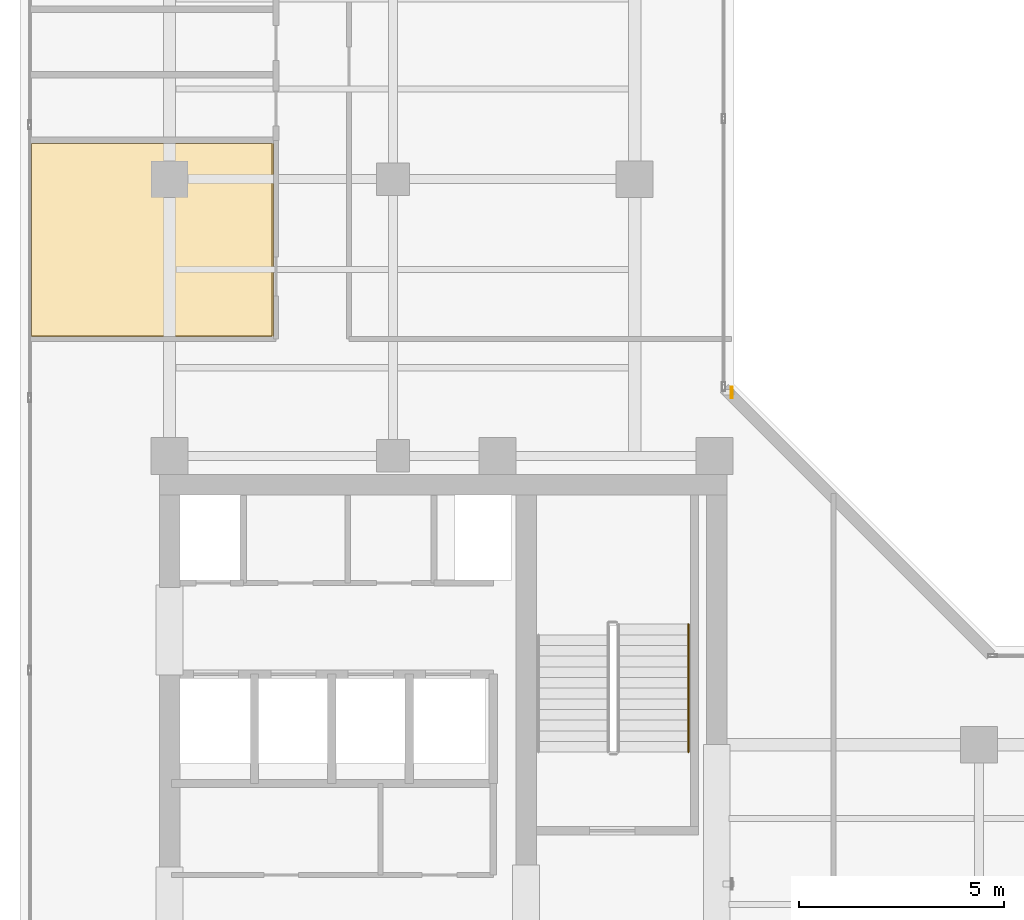
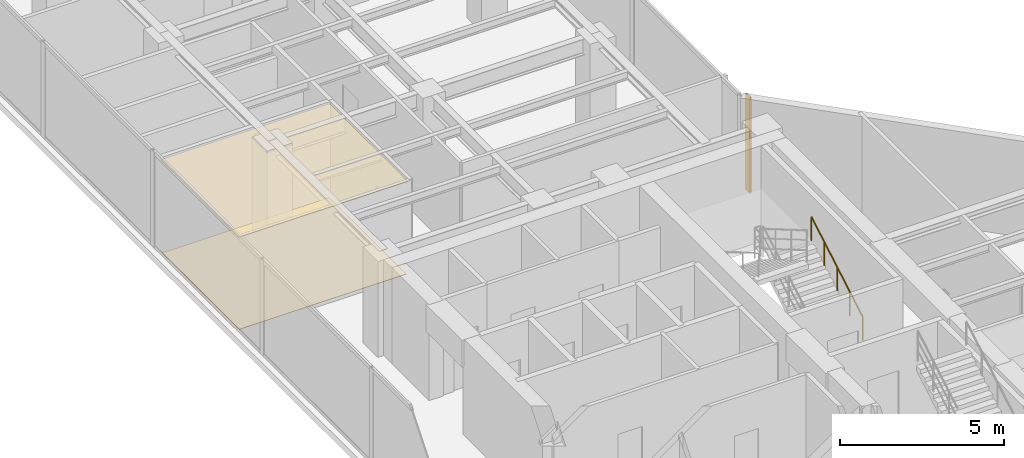
# One storey, part 22 of 24: 2 coverings, 1 railing, 1 shading device.
"""IFC4 building model written with IfcOpenShell, lengths in metres."""

from ifc_helpers import new_model, si_unit, direction, frame, origin, origin_2d, place, context, subcontext, project, spatial, polyline, hollow_rectangle, circle, outline, extrude, material, layer, layer_set, material_profile, profile_set, type_object, element, save


model = new_model("IFC4")

# Units and contexts
model_context = context("Model", 3, precision=1e-05, world=origin(), true_north=direction((0.0, 1.0)))
body_context = subcontext(model_context, "Body", "Model", "MODEL_VIEW")
ifc_project = project(units=[si_unit("LENGTHUNIT", "METRE"), si_unit("AREAUNIT", "SQUARE_METRE"), si_unit("VOLUMEUNIT", "CUBIC_METRE"), si_unit("PLANEANGLEUNIT", "RADIAN"), si_unit("MASSUNIT", "GRAM", prefix="KILO")], contexts=[model_context])

# Site, building, storey
site_placement = place(None, origin())
site = spatial("IfcSite", under=ifc_project, at=site_placement, CompositionType="ELEMENT")
building_placement = place(site_placement, origin())
building = spatial("IfcBuilding", under=site, at=building_placement, Name="Kolvaren Waterfront Exchange", CompositionType="ELEMENT")
storey_placement = place(building_placement, frame((0.0, 0.0, 331.199951171875)))
storey = spatial("IfcBuildingStorey", under=building, at=storey_placement, Name="L85", CompositionType="ELEMENT", Elevation=331.199951171875)

# Covering
ifc_material_1 = material(Name="Mineral fibre acoustic ceiling tile")
ifc_layer_1 = layer(ifc_material_1, 0.02490234375, Name="Mineral fibre acoustic ceiling tile")
ifc_layer_set_1 = layer_set([ifc_layer_1], Name="Mineral fibre acoustic ceiling tile")
covering_type_1 = type_object("IfcCoveringType", Name="ARC-CEIL-ACOUSTIC-25", PredefinedType="CEILING", material=ifc_layer_set_1)
covering_1_placement = place(storey_placement, frame((0.0, 0.0, 3.445068359375)))
element("IfcCovering", 1, at=covering_1_placement, inside=storey, type_object=covering_type_1, Name="L85 acoustic suspended ceiling 1", PredefinedType="CEILING", context=body_context, shape_type="SweptSolid", body=[
    extrude(outline(polyline([(9.985107421875, 27.344970703125), (9.985107421875, 32.10498046875), (4.044921875, 32.10498046875), (4.044921875, 27.344970703125), (9.985107421875, 27.344970703125)])), origin(), (0.0, 0.0, 1.0), 0.02490234375),
])

# Shading device
ifc_material_2 = material(Name="Anodised bronze aluminium 6063-T6", Category="aluminium")
ifc_material_profile = material_profile(ifc_material_2, hollow_rectangle(XDim=0.054931640625, YDim=0.280029296875, WallThickness=0.00439453125, at=origin_2d()), Name="BRZ-FIN-280x55x4.5")
ifc_profile_set = profile_set([ifc_material_profile], Name="Anodised bronze aluminium 6063-T6")
shading_device_type = type_object("IfcShadingDeviceType", Name="ARC-FIN-280", PredefinedType="USERDEFINED", material=ifc_profile_set)
shading_device_placement = place(storey_placement, frame((21.17041015625, 26.0, 0.0), z_axis=(0.0, 0.0, 1.0), x_axis=(1.0, 0.0, 0.0)))
element("IfcShadingDevice", 2, at=shading_device_placement, inside=storey, type_object=shading_device_type, Name="L85 anodised bronze solar shading fin FIN-L85-E2", ObjectType="SOLAR FIN", PredefinedType="USERDEFINED", context=body_context, shape_type="SweptSolid", body=[
    extrude(hollow_rectangle(XDim=0.054931640625, YDim=0.280029296875, WallThickness=0.00439453125, at=origin_2d()), origin(), (0.0, 0.0, 1.0), 3.56005859375),
])

# Covering
ifc_material_3 = material(Name="Slip-resistant porcelain tile")
ifc_layer_2 = layer(ifc_material_3, 0.014892578125, Name="Slip-resistant porcelain tile")
ifc_layer_set_2 = layer_set([ifc_layer_2], Name="Slip-resistant porcelain tile")
covering_type_2 = type_object("IfcCoveringType", Name="ARC-FLR-PORC-15", PredefinedType="FLOORING", material=ifc_layer_set_2)
covering_2_placement = place(storey_placement, origin())
element("IfcCovering", 3, at=covering_2_placement, inside=storey, type_object=covering_type_2, Name="L85 floor finish 1", PredefinedType="FLOORING", context=body_context, shape_type="SweptSolid", body=[
    extrude(outline(polyline([(4.080078125, 32.070068359375), (4.080078125, 27.3798828125), (9.949951171875, 27.3798828125), (9.949951171875, 32.070068359375), (4.080078125, 32.070068359375)])), origin(), (0.0, 0.0, 1.0), 0.01513671875),
])

# Railing
ifc_material_4 = material(Name="Stainless steel 316", Category="steel")
railing_type = type_object("IfcRailingType", Name="ARC-HANDRAIL-900", PredefinedType="HANDRAIL", material=ifc_material_4)
railing_placement = place(storey_placement, frame((20.110107421875, 17.219970703125, 0.152099609375)))
element("IfcRailing", 4, at=railing_placement, inside=storey, type_object=railing_type, Name="L85 ST2 stair handrail 1", PredefinedType="HANDRAIL", context=body_context, shape_type="SweptSolid", body=[
    extrude(circle(Radius=0.02392578125, at=origin_2d()), frame((0.0, 0.0, 0.8759765625), z_axis=(0.0, 0.86330811405, 0.504677223793), x_axis=(-1.0, 0.0, 0.0)), (0.0, 0.0, 1.0), 3.6142578125),
    extrude(circle(Radius=0.02099609375, at=origin_2d()), origin(), (0.0, 0.0, 1.0), 0.851806640625),
    extrude(circle(Radius=0.02099609375, at=origin_2d()), frame((0.0, 0.780029296875, 0.4560546875)), (0.0, 0.0, 1.0), 0.851806640625),
    extrude(circle(Radius=0.02099609375, at=origin_2d()), frame((0.0, 1.56005859375, 0.912109375)), (0.0, 0.0, 1.0), 0.851806640625),
    extrude(circle(Radius=0.02099609375, at=origin_2d()), frame((0.0, 2.340087890625, 1.367919921875)), (0.0, 0.0, 1.0), 0.851806640625),
    extrude(circle(Radius=0.02099609375, at=origin_2d()), frame((0.0, 3.1201171875, 1.823974609375)), (0.0, 0.0, 1.0), 0.851806640625),
])

save(model, "model.ifc")
